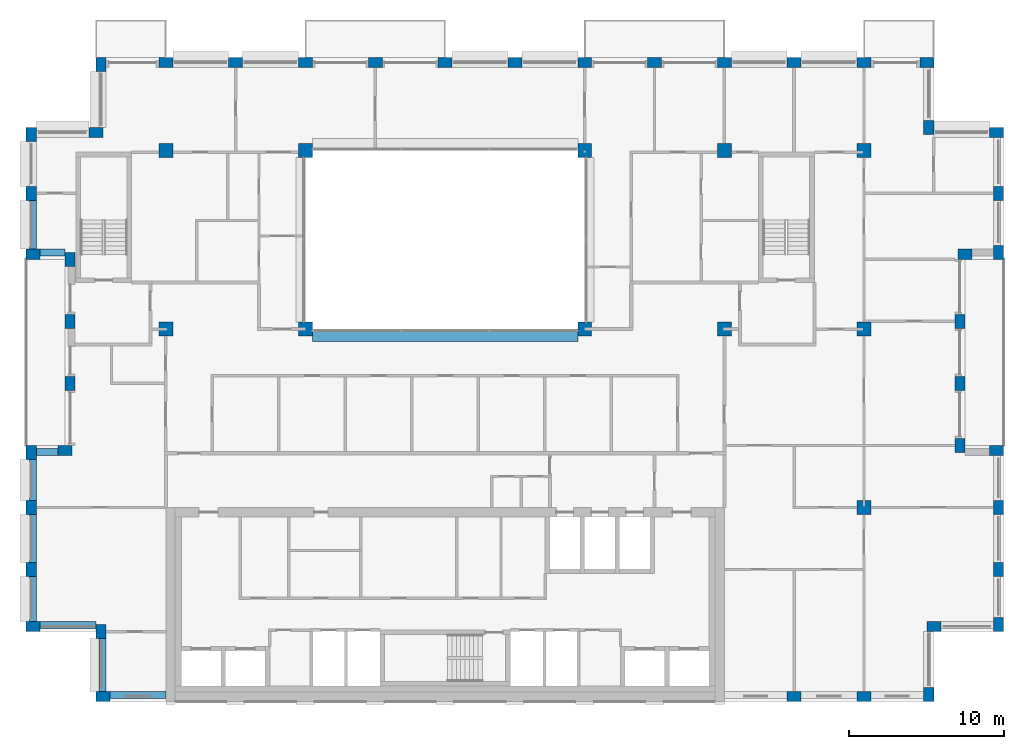
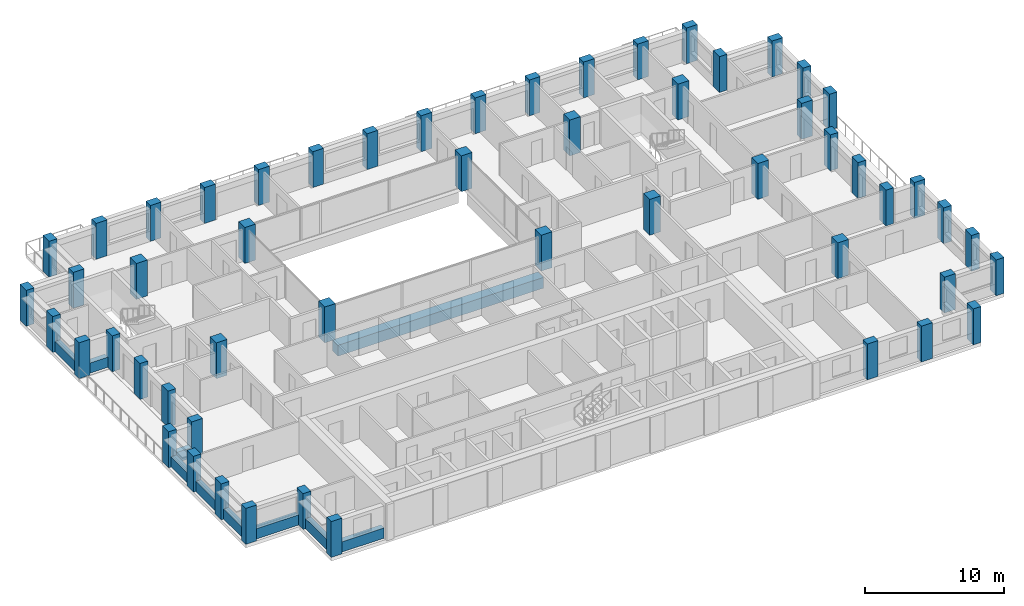
# One storey, part 1 of 15: 54 columns, 10 beams.
"""IFC4 building model written with IfcOpenShell, lengths in metres."""

from ifc_helpers import new_model, si_unit, direction, frame, origin, origin_2d, place, context, subcontext, project, spatial, rectangle, extrude, material, material_profile, profile_set, type_object, element, save


model = new_model("IFC4")

# Units and contexts
model_context = context("Model", 3, precision=1e-05, world=origin(), true_north=direction((0.0, 1.0)))
body_context = subcontext(model_context, "Body", "Model", "MODEL_VIEW")
ifc_project = project(units=[si_unit("LENGTHUNIT", "METRE"), si_unit("AREAUNIT", "SQUARE_METRE"), si_unit("VOLUMEUNIT", "CUBIC_METRE"), si_unit("PLANEANGLEUNIT", "RADIAN"), si_unit("MASSUNIT", "GRAM", prefix="KILO")], contexts=[model_context])

# Site, building, storey
site_placement = place(None, origin())
site = spatial("IfcSite", under=ifc_project, at=site_placement, CompositionType="ELEMENT")
building_placement = place(site_placement, origin())
building = spatial("IfcBuilding", under=site, at=building_placement, Name="Brigalow Station Residences", CompositionType="ELEMENT")
storey_placement = place(building_placement, frame((0.0, 0.0, 220.050048828125)))
storey = spatial("IfcBuildingStorey", under=building, at=storey_placement, Name="L63", CompositionType="ELEMENT", Elevation=220.050048828125)

# Columns
ifc_material_1 = material(Name="Concrete C50", Category="concrete")
ifc_material_profile_1 = material_profile(ifc_material_1, rectangle(XDim=0.89990234375, YDim=0.89990234375, at=origin_2d()), Name="RC900x900")
ifc_profile_set_1 = profile_set([ifc_material_profile_1], Name="Concrete C50")
column_type_1 = type_object("IfcColumnType", Name="COLUMN 900x900 C50", PredefinedType="COLUMN", material=ifc_profile_set_1)
for number, where, z_axis, x_axis, name in (
    (1, (18.0, 24.0, 0.0), (0.0, 0.0, 1.0), (1.0, 0.0, 0.0), "COLUMN C2 L63"),
    (2, (27.0, 24.0, 0.0), (0.0, 0.0, 1.0), (1.0, 0.0, 0.0), "COLUMN C3 L63"),
    (3, (45.0, 24.0, 0.0), (0.0, 0.0, 1.0), (1.0, 0.0, 0.0), "COLUMN C5 L63"),
    (4, (54.0, 24.0, 0.0), (0.0, 0.0, 1.0), (1.0, 0.0, 0.0), "COLUMN C6 L63"),
    (5, (63.0, 24.0, 0.0), (0.0, 0.0, 1.0), (1.0, 0.0, 0.0), "COLUMN C7 L63"),
    (6, (18.0, 35.5, 0.0), (0.0, 0.0, 1.0), (1.0, 0.0, 0.0), "COLUMN D2 L63"),
    (7, (27.0, 35.5, 0.0), (0.0, 0.0, 1.0), (1.0, 0.0, 0.0), "COLUMN D3 L63"),
    (8, (45.0, 35.5, 0.0), (0.0, 0.0, 1.0), (1.0, 0.0, 0.0), "COLUMN D5 L63"),
    (9, (54.0, 35.5, 0.0), (0.0, 0.0, 1.0), (1.0, 0.0, 0.0), "COLUMN D6 L63"),
    (10, (63.0, 35.5, 0.0), (0.0, 0.0, 1.0), (1.0, 0.0, 0.0), "COLUMN D7 L63"),
    (11, (63.0, 12.5, 0.0), (0.0, 0.0, 1.0), (1.0, 0.0, 0.0), "COLUMN B7 L63"),
):
    element("IfcColumn", number, at=place(storey_placement, frame(where, z_axis=z_axis, x_axis=x_axis)), inside=storey, type_object=column_type_1, Name=name, PredefinedType="COLUMN", context=body_context, shape_type="SweptSolid", body=[
        extrude(rectangle(XDim=0.89990234375, YDim=0.89990234375, at=origin_2d()), origin(), (0.0, 0.0, 1.0), 3.14990234375),
    ])
ifc_material_2 = material(Name="Concrete C50", Category="concrete")
ifc_material_profile_2 = material_profile(ifc_material_2, rectangle(XDim=0.89990234375, YDim=0.64990234375, at=origin_2d()), Name="RC900x650")
ifc_profile_set_2 = profile_set([ifc_material_profile_2], Name="Concrete C50")
column_type_2 = type_object("IfcColumnType", Name="PIER 900x650 C50", PredefinedType="USERDEFINED", material=ifc_profile_set_2)
for number, where, z_axis, x_axis, name in (
    (12, (13.949951171875, 0.324951171875, 0.0), (0.0, 0.0, 1.0), (1.0, 0.0, 0.0), "PIER S-1 L63"),
    (13, (58.5, 0.324951171875, 0.0), (0.0, 0.0, 1.0), (1.0, 0.0, 0.0), "PIER S-11 L63"),
    (14, (63.0, 0.324951171875, 0.0), (0.0, 0.0, 1.0), (1.0, 0.0, 0.0), "PIER S-12 L63"),
    (15, (67.175048828125, 0.449951171875, 0.0), (0.0, 0.0, 1.0), (0.0, 1.0, 0.0), "PIER SE1-1 L63"),
    (16, (67.5, 4.824951171875, 0.0), (0.0, 0.0, 1.0), (1.0, 0.0, 0.0), "PIER SE2-1 L63"),
    (17, (71.675048828125, 4.949951171875, 0.0), (0.0, 0.0, 1.0), (0.0, 1.0, 0.0), "PIER E1-1 L63"),
    (18, (71.675048828125, 8.5, 0.0), (0.0, 0.0, 1.0), (0.0, 1.0, 0.0), "PIER E1-2 L63"),
    (19, (71.675048828125, 12.5, 0.0), (0.0, 0.0, 1.0), (0.0, 1.0, 0.0), "PIER E1-3 L63"),
    (20, (71.550048828125, 16.175048828125, 0.0), (0.0, 0.0, 1.0), (-1.0, 0.0, 0.0), "PIER EL1-1 L63"),
    (21, (69.175048828125, 16.5, 0.0), (0.0, 0.0, 1.0), (0.0, 1.0, 0.0), "PIER EL2-1 L63"),
    (22, (69.175048828125, 20.5, 0.0), (0.0, 0.0, 1.0), (0.0, 1.0, 0.0), "PIER EL2-2 L63"),
    (23, (69.175048828125, 24.5, 0.0), (0.0, 0.0, 1.0), (0.0, 1.0, 0.0), "PIER EL2-3 L63"),
    (24, (69.5, 28.824951171875, 0.0), (0.0, 0.0, 1.0), (1.0, 0.0, 0.0), "PIER EL3-1 L63"),
    (25, (71.675048828125, 28.949951171875, 0.0), (0.0, 0.0, 1.0), (0.0, 1.0, 0.0), "PIER E2-1 L63"),
    (26, (71.675048828125, 32.75, 0.0), (0.0, 0.0, 1.0), (0.0, 1.0, 0.0), "PIER E2-2 L63"),
    (27, (71.550048828125, 36.675048828125, 0.0), (0.0, 0.0, 1.0), (-1.0, 0.0, 0.0), "PIER NE1-1 L63"),
    (28, (67.175048828125, 37.0, 0.0), (0.0, 0.0, 1.0), (0.0, 1.0, 0.0), "PIER NE2-1 L63"),
    (29, (67.050048828125, 41.175048828125, 0.0), (0.0, 0.0, 1.0), (-1.0, 0.0, 0.0), "PIER N-1 L63"),
    (30, (63.0, 41.175048828125, 0.0), (0.0, 0.0, 1.0), (-1.0, 0.0, 0.0), "PIER N-2 L63"),
    (31, (58.5, 41.175048828125, 0.0), (0.0, 0.0, 1.0), (-1.0, 0.0, 0.0), "PIER N-3 L63"),
    (32, (54.0, 41.175048828125, 0.0), (0.0, 0.0, 1.0), (-1.0, 0.0, 0.0), "PIER N-4 L63"),
    (33, (49.5, 41.175048828125, 0.0), (0.0, 0.0, 1.0), (-1.0, 0.0, 0.0), "PIER N-5 L63"),
    (34, (45.0, 41.175048828125, 0.0), (0.0, 0.0, 1.0), (-1.0, 0.0, 0.0), "PIER N-6 L63"),
    (35, (40.5, 41.175048828125, 0.0), (0.0, 0.0, 1.0), (-1.0, 0.0, 0.0), "PIER N-7 L63"),
    (36, (36.0, 41.175048828125, 0.0), (0.0, 0.0, 1.0), (-1.0, 0.0, 0.0), "PIER N-8 L63"),
    (37, (31.5, 41.175048828125, 0.0), (0.0, 0.0, 1.0), (-1.0, 0.0, 0.0), "PIER N-9 L63"),
    (38, (27.0, 41.175048828125, 0.0), (0.0, 0.0, 1.0), (-1.0, 0.0, 0.0), "PIER N-10 L63"),
    (39, (22.5, 41.175048828125, 0.0), (0.0, 0.0, 1.0), (-1.0, 0.0, 0.0), "PIER N-11 L63"),
    (40, (18.0, 41.175048828125, 0.0), (0.0, 0.0, 1.0), (-1.0, 0.0, 0.0), "PIER N-12 L63"),
    (41, (13.824951171875, 41.050048828125, 0.0), (0.0, 0.0, 1.0), (0.0, -1.0, 0.0), "PIER NW1-1 L63"),
    (42, (13.5, 36.675048828125, 0.0), (0.0, 0.0, 1.0), (-1.0, 0.0, 0.0), "PIER NW2-1 L63"),
    (43, (9.324951171875, 36.550048828125, 0.0), (0.0, 0.0, 1.0), (0.0, -1.0, 0.0), "PIER W2-1 L63"),
    (44, (9.324951171875, 32.75, 0.0), (0.0, 0.0, 1.0), (0.0, -1.0, 0.0), "PIER W2-2 L63"),
    (45, (9.449951171875, 28.824951171875, 0.0), (0.0, 0.0, 1.0), (1.0, 0.0, 0.0), "PIER WL1-1 L63"),
    (46, (11.824951171875, 28.5, 0.0), (0.0, 0.0, 1.0), (0.0, -1.0, 0.0), "PIER WL2-1 L63"),
    (47, (11.824951171875, 24.5, 0.0), (0.0, 0.0, 1.0), (0.0, -1.0, 0.0), "PIER WL2-2 L63"),
    (48, (11.824951171875, 20.5, 0.0), (0.0, 0.0, 1.0), (0.0, -1.0, 0.0), "PIER WL2-3 L63"),
    (49, (11.5, 16.175048828125, 0.0), (0.0, 0.0, 1.0), (-1.0, 0.0, 0.0), "PIER WL3-1 L63"),
    (50, (9.324951171875, 16.050048828125, 0.0), (0.0, 0.0, 1.0), (0.0, -1.0, 0.0), "PIER W1-1 L63"),
    (51, (9.324951171875, 12.5, 0.0), (0.0, 0.0, 1.0), (0.0, -1.0, 0.0), "PIER W1-2 L63"),
    (52, (9.324951171875, 8.5, 0.0), (0.0, 0.0, 1.0), (0.0, -1.0, 0.0), "PIER W1-3 L63"),
    (53, (9.449951171875, 4.824951171875, 0.0), (0.0, 0.0, 1.0), (1.0, 0.0, 0.0), "PIER SW1-1 L63"),
    (54, (13.824951171875, 4.5, 0.0), (0.0, 0.0, 1.0), (0.0, -1.0, 0.0), "PIER SW2-1 L63"),
):
    element("IfcColumn", number, at=place(storey_placement, frame(where, z_axis=z_axis, x_axis=x_axis)), inside=storey, type_object=column_type_2, Name=name, ObjectType="PIER", PredefinedType="USERDEFINED", context=body_context, shape_type="SweptSolid", body=[
        extrude(rectangle(XDim=0.89990234375, YDim=0.64990234375, at=origin_2d()), origin(), (0.0, 0.0, 1.0), 3.14990234375),
    ])

# Beams
ifc_material_3 = material(Name="Concrete C65", Category="concrete")
ifc_material_profile_3 = material_profile(ifc_material_3, rectangle(XDim=0.800048828125, YDim=0.949951171875, at=origin_2d()), Name="RC800x950")
ifc_profile_set_3 = profile_set([ifc_material_profile_3], Name="Concrete C65")
beam_type_1 = type_object("IfcBeamType", Name="ATRIUM EDGE GIRDER OVER 13.5 M SPAN 800x950 C65", PredefinedType="BEAM", material=ifc_profile_set_3)
beam_1_placement = place(storey_placement, frame((27.449951171875, 23.60009765625, -0.795166015625), z_axis=(1.0, 0.0, 0.0), x_axis=(0.0, 1.0, 0.0)))
element("IfcBeam", 55, at=beam_1_placement, inside=storey, type_object=beam_type_1, Name="ATRIUM EDGE GIRDER C L63", PredefinedType="BEAM", context=body_context, shape_type="SweptSolid", body=[
    extrude(rectangle(XDim=0.800048828125, YDim=0.949951171875, at=origin_2d()), origin(), (0.0, 0.0, 1.0), 17.10009765625),
])
ifc_material_4 = material(Name="Concrete C50", Category="concrete")
ifc_material_profile_4 = material_profile(ifc_material_4, rectangle(XDim=0.449951171875, YDim=0.89990234375, at=origin_2d()), Name="RC450x900")
ifc_profile_set_4 = profile_set([ifc_material_profile_4], Name="Concrete C50")
beam_type_2 = type_object("IfcBeamType", Name="SPANDREL BEAM 450x900 C50", PredefinedType="SPANDREL", material=ifc_profile_set_4)
beam_2_placement = place(storey_placement, frame((14.39990234375, 0.425048828125, 0.449951171875), z_axis=(1.0, 0.0, 0.0), x_axis=(0.0, 1.0, 0.0)))
element("IfcBeam", 56, at=beam_2_placement, inside=storey, type_object=beam_type_2, Name="L63/spandrel/W-L63-1", PredefinedType="SPANDREL", context=body_context, shape_type="SweptSolid", body=[
    extrude(rectangle(XDim=0.449951171875, YDim=0.89990234375, at=origin_2d()), origin(), (0.0, 0.0, 1.0), 3.60009765625),
])
beam_3_placement = place(storey_placement, frame((9.425048828125, 32.300048828125, 0.449951171875), z_axis=(0.0, -1.0, 0.0), x_axis=(1.0, 0.0, 0.0)))
element("IfcBeam", 57, at=beam_3_placement, inside=storey, type_object=beam_type_2, Name="L63/spandrel/W-L63-35", PredefinedType="SPANDREL", context=body_context, shape_type="SweptSolid", body=[
    extrude(rectangle(XDim=0.449951171875, YDim=0.89990234375, at=origin_2d()), origin(), (0.0, 0.0, 1.0), 3.150146484375),
])
beam_4_placement = place(storey_placement, frame((9.89990234375, 28.925048828125, 0.449951171875), z_axis=(1.0, 0.0, 0.0), x_axis=(0.0, 1.0, 0.0)))
element("IfcBeam", 58, at=beam_4_placement, inside=storey, type_object=beam_type_2, Name="L63/spandrel/W-L63-36", PredefinedType="SPANDREL", context=body_context, shape_type="SweptSolid", body=[
    extrude(rectangle(XDim=0.449951171875, YDim=0.89990234375, at=origin_2d()), origin(), (0.0, 0.0, 1.0), 1.60009765625),
])
beam_5_placement = place(storey_placement, frame((11.050048828125, 16.074951171875, 0.449951171875), z_axis=(-1.0, 0.0, 0.0), x_axis=(0.0, -1.0, 0.0)))
element("IfcBeam", 59, at=beam_5_placement, inside=storey, type_object=beam_type_2, Name="L63/spandrel/W-L63-40", PredefinedType="SPANDREL", context=body_context, shape_type="SweptSolid", body=[
    extrude(rectangle(XDim=0.449951171875, YDim=0.89990234375, at=origin_2d()), origin(), (0.0, 0.0, 1.0), 1.400146484375),
])
beam_6_placement = place(storey_placement, frame((9.425048828125, 15.60009765625, 0.449951171875), z_axis=(0.0, -1.0, 0.0), x_axis=(1.0, 0.0, 0.0)))
element("IfcBeam", 60, at=beam_6_placement, inside=storey, type_object=beam_type_2, Name="L63/spandrel/W-L63-41", PredefinedType="SPANDREL", context=body_context, shape_type="SweptSolid", body=[
    extrude(rectangle(XDim=0.449951171875, YDim=0.89990234375, at=origin_2d()), origin(), (0.0, 0.0, 1.0), 2.650146484375),
])
beam_7_placement = place(storey_placement, frame((9.425048828125, 12.050048828125, 0.449951171875), z_axis=(0.0, -1.0, 0.0), x_axis=(1.0, 0.0, 0.0)))
element("IfcBeam", 61, at=beam_7_placement, inside=storey, type_object=beam_type_2, Name="L63/spandrel/W-L63-42", PredefinedType="SPANDREL", context=body_context, shape_type="SweptSolid", body=[
    extrude(rectangle(XDim=0.449951171875, YDim=0.89990234375, at=origin_2d()), origin(), (0.0, 0.0, 1.0), 3.10009765625),
])
beam_8_placement = place(storey_placement, frame((9.425048828125, 8.050048828125, 0.449951171875), z_axis=(0.0, -1.0, 0.0), x_axis=(1.0, 0.0, 0.0)))
element("IfcBeam", 62, at=beam_8_placement, inside=storey, type_object=beam_type_2, Name="L63/spandrel/W-L63-43", PredefinedType="SPANDREL", context=body_context, shape_type="SweptSolid", body=[
    extrude(rectangle(XDim=0.449951171875, YDim=0.89990234375, at=origin_2d()), origin(), (0.0, 0.0, 1.0), 2.900146484375),
])
beam_9_placement = place(storey_placement, frame((9.89990234375, 4.925048828125, 0.449951171875), z_axis=(1.0, 0.0, 0.0), x_axis=(0.0, 1.0, 0.0)))
element("IfcBeam", 63, at=beam_9_placement, inside=storey, type_object=beam_type_2, Name="L63/spandrel/W-L63-44", PredefinedType="SPANDREL", context=body_context, shape_type="SweptSolid", body=[
    extrude(rectangle(XDim=0.449951171875, YDim=0.89990234375, at=origin_2d()), origin(), (0.0, 0.0, 1.0), 3.60009765625),
])
beam_10_placement = place(storey_placement, frame((13.925048828125, 4.050048828125, 0.449951171875), z_axis=(0.0, -1.0, 0.0), x_axis=(1.0, 0.0, 0.0)))
element("IfcBeam", 64, at=beam_10_placement, inside=storey, type_object=beam_type_2, Name="L63/spandrel/W-L63-45", PredefinedType="SPANDREL", context=body_context, shape_type="SweptSolid", body=[
    extrude(rectangle(XDim=0.449951171875, YDim=0.89990234375, at=origin_2d()), origin(), (0.0, 0.0, 1.0), 3.400146484375),
])

save(model, "model.ifc")
